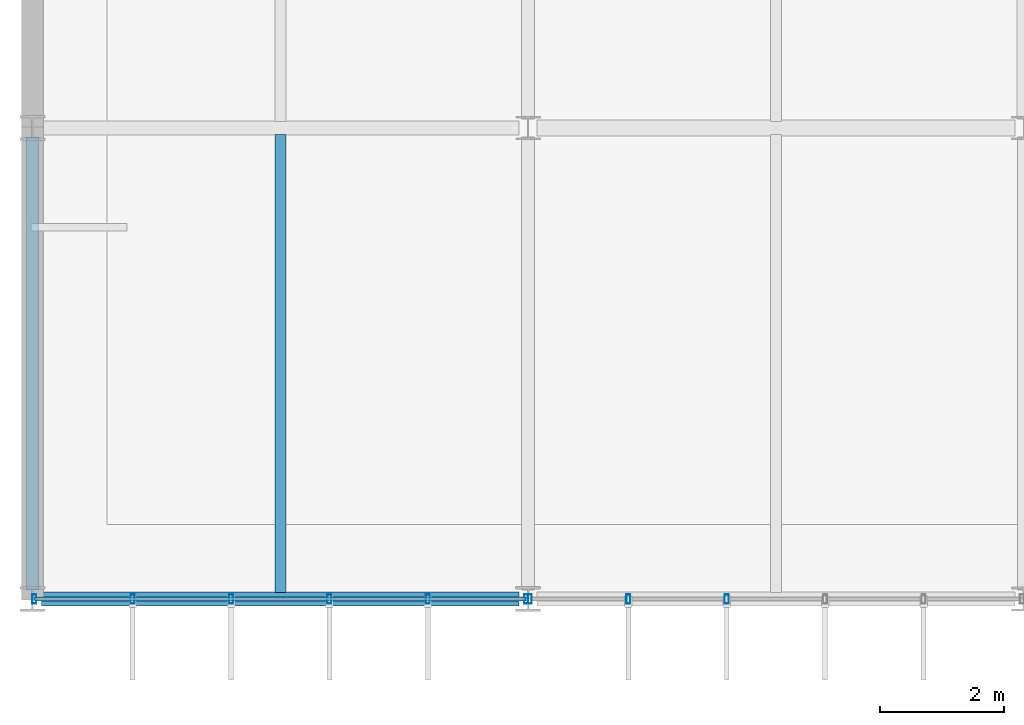
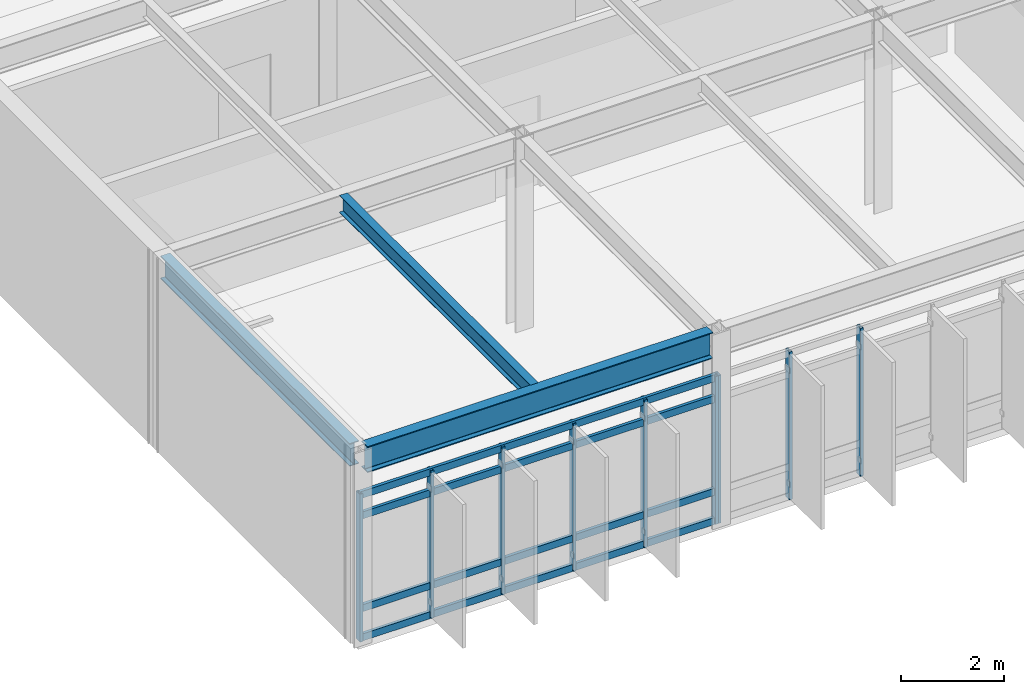
# One storey, part 21 of 104: 13 members, 3 beams, 2 elements without a shape of their own.
"""IFC4 building model written with IfcOpenShell, lengths in metres."""

from ifc_helpers import new_model, si_unit, direction, frame, origin, origin_2d, place, context, subcontext, project, spatial, hollow_rectangle, i_section, extrude, material, material_profile, profile_set, type_object, element, aggregate, save


model = new_model("IFC4")

# Units and contexts
model_context = context("Model", 3, precision=1e-05, world=origin(), true_north=direction((0.0, 1.0)))
body_context = subcontext(model_context, "Body", "Model", "MODEL_VIEW")
ifc_project = project(units=[si_unit("LENGTHUNIT", "METRE"), si_unit("AREAUNIT", "SQUARE_METRE"), si_unit("VOLUMEUNIT", "CUBIC_METRE"), si_unit("PLANEANGLEUNIT", "RADIAN"), si_unit("MASSUNIT", "GRAM", prefix="KILO")], contexts=[model_context])

# Site, building, storey
site_placement = place(None, origin())
site = spatial("IfcSite", under=ifc_project, at=site_placement, CompositionType="ELEMENT")
building_placement = place(site_placement, origin())
building = spatial("IfcBuilding", under=site, at=building_placement, Name="Zulena Civic Courthouse", CompositionType="ELEMENT")
storey_placement = place(building_placement, frame((0.0, 0.0, 10.800048828125)))
storey = spatial("IfcBuildingStorey", under=building, at=storey_placement, Name="L02", CompositionType="ELEMENT", Elevation=10.800048828125)

# Curtain wall, members
ifc_material_1 = material(Name="Double-silver low-E laminated solar-control glass", Category="glass")
curtain_wall_type = type_object("IfcCurtainWallType", Name="CW_7940x3490", PredefinedType="USERDEFINED", material=ifc_material_1)
curtain_wall_1_placement = place(storey_placement, origin())
curtain_wall_1 = element("IfcCurtainWall", 1, at=curtain_wall_1_placement, inside=storey, type_object=curtain_wall_type, Name="cw:V2:L02:5:4", ObjectType="UNITISED CURTAIN WALL", PredefinedType="USERDEFINED")
ifc_material_2 = material(Name="Bronze anodised thermally broken aluminium AA6063-T6", Category="aluminium")
ifc_material_profile_1 = material_profile(ifc_material_2, hollow_rectangle(XDim=0.06494140625, YDim=0.14990234375, WallThickness=0.00390625, at=origin_2d()), Name="CWM150X65X4")
ifc_profile_set_1 = profile_set([ifc_material_profile_1], Name="Bronze anodised thermally broken aluminium AA6063-T6")
member_type_1 = type_object("IfcMemberType", Name="CWMullion_150x65", PredefinedType="MULLION", material=ifc_profile_set_1)
member_1_placement = place(storey_placement, frame((15.2060546875, 0.0, 0.0), z_axis=(0.0, 0.0, 1.0), x_axis=(1.0, 0.0, 0.0)))
member_1 = element("IfcMember", 2, at=member_1_placement, type_object=member_type_1, Name="cw:V2:L02:5:4:mull:3", PredefinedType="MULLION", context=body_context, shape_type="SweptSolid", body=[
    extrude(hollow_rectangle(XDim=0.06494140625, YDim=0.14990234375, WallThickness=0.00390625, at=origin_2d()), origin(), (0.0, 0.0, 1.0), 3.489990234375),
])
member_2_placement = place(storey_placement, frame((13.617919921875, 0.0, 0.0), z_axis=(0.0, 0.0, 1.0), x_axis=(1.0, 0.0, 0.0)))
member_2 = element("IfcMember", 3, at=member_2_placement, type_object=member_type_1, Name="cw:V2:L02:5:4:mull:4", PredefinedType="MULLION", context=body_context, shape_type="SweptSolid", body=[
    extrude(hollow_rectangle(XDim=0.06494140625, YDim=0.14990234375, WallThickness=0.00390625, at=origin_2d()), origin(), (0.0, 0.0, 1.0), 3.489990234375),
])
member_3_placement = place(storey_placement, frame((12.030029296875, 0.0, 0.0), z_axis=(0.0, 0.0, 1.0), x_axis=(1.0, 0.0, 0.0)))
member_3 = element("IfcMember", 4, at=member_3_placement, type_object=member_type_1, Name="cw:V2:L02:5:4:mull:5", PredefinedType="MULLION", context=body_context, shape_type="SweptSolid", body=[
    extrude(hollow_rectangle(XDim=0.06494140625, YDim=0.14990234375, WallThickness=0.00390625, at=origin_2d()), origin(), (0.0, 0.0, 1.0), 3.489990234375),
])
aggregate(curtain_wall_1, [member_1, member_2, member_3])

curtain_wall_2_placement = place(storey_placement, origin())
curtain_wall_2 = element("IfcCurtainWall", 5, at=curtain_wall_2_placement, inside=storey, type_object=curtain_wall_type, Name="cw:V2:L02:5:5", ObjectType="UNITISED CURTAIN WALL", PredefinedType="USERDEFINED")
member_4_placement = place(storey_placement, frame((11.969970703125, 0.0, 0.0), z_axis=(0.0, 0.0, 1.0), x_axis=(1.0, 0.0, 0.0)))
member_4 = element("IfcMember", 6, at=member_4_placement, type_object=member_type_1, Name="cw:V2:L02:5:5:mull:0", PredefinedType="MULLION", context=body_context, shape_type="SweptSolid", body=[
    extrude(hollow_rectangle(XDim=0.06494140625, YDim=0.14990234375, WallThickness=0.00390625, at=origin_2d()), origin(), (0.0, 0.0, 1.0), 3.489990234375),
])
member_5_placement = place(storey_placement, frame((10.382080078125, 0.0, 0.0), z_axis=(0.0, 0.0, 1.0), x_axis=(1.0, 0.0, 0.0)))
member_5 = element("IfcMember", 7, at=member_5_placement, type_object=member_type_1, Name="cw:V2:L02:5:5:mull:1", PredefinedType="MULLION", context=body_context, shape_type="SweptSolid", body=[
    extrude(hollow_rectangle(XDim=0.06494140625, YDim=0.14990234375, WallThickness=0.00390625, at=origin_2d()), origin(), (0.0, 0.0, 1.0), 3.489990234375),
])
member_6_placement = place(storey_placement, frame((8.7939453125, 0.0, 0.0), z_axis=(0.0, 0.0, 1.0), x_axis=(1.0, 0.0, 0.0)))
member_6 = element("IfcMember", 8, at=member_6_placement, type_object=member_type_1, Name="cw:V2:L02:5:5:mull:2", PredefinedType="MULLION", context=body_context, shape_type="SweptSolid", body=[
    extrude(hollow_rectangle(XDim=0.06494140625, YDim=0.14990234375, WallThickness=0.00390625, at=origin_2d()), origin(), (0.0, 0.0, 1.0), 3.489990234375),
])
member_7_placement = place(storey_placement, frame((7.2060546875, 0.0, 0.0), z_axis=(0.0, 0.0, 1.0), x_axis=(1.0, 0.0, 0.0)))
member_7 = element("IfcMember", 9, at=member_7_placement, type_object=member_type_1, Name="cw:V2:L02:5:5:mull:3", PredefinedType="MULLION", context=body_context, shape_type="SweptSolid", body=[
    extrude(hollow_rectangle(XDim=0.06494140625, YDim=0.14990234375, WallThickness=0.00390625, at=origin_2d()), origin(), (0.0, 0.0, 1.0), 3.489990234375),
])
member_8_placement = place(storey_placement, frame((5.617919921875, 0.0, 0.0), z_axis=(0.0, 0.0, 1.0), x_axis=(1.0, 0.0, 0.0)))
member_8 = element("IfcMember", 10, at=member_8_placement, type_object=member_type_1, Name="cw:V2:L02:5:5:mull:4", PredefinedType="MULLION", context=body_context, shape_type="SweptSolid", body=[
    extrude(hollow_rectangle(XDim=0.06494140625, YDim=0.14990234375, WallThickness=0.00390625, at=origin_2d()), origin(), (0.0, 0.0, 1.0), 3.489990234375),
])
member_9_placement = place(storey_placement, frame((4.030029296875, 0.0, 0.0), z_axis=(0.0, 0.0, 1.0), x_axis=(1.0, 0.0, 0.0)))
member_9 = element("IfcMember", 11, at=member_9_placement, type_object=member_type_1, Name="cw:V2:L02:5:5:mull:5", PredefinedType="MULLION", context=body_context, shape_type="SweptSolid", body=[
    extrude(hollow_rectangle(XDim=0.06494140625, YDim=0.14990234375, WallThickness=0.00390625, at=origin_2d()), origin(), (0.0, 0.0, 1.0), 3.489990234375),
])
ifc_material_profile_2 = material_profile(ifc_material_2, hollow_rectangle(XDim=0.070068359375, YDim=0.1650390625, WallThickness=0.00390625, at=origin_2d()), Name="CWT165X70X4")
ifc_profile_set_2 = profile_set([ifc_material_profile_2], Name="Bronze anodised thermally broken aluminium AA6063-T6")
member_type_2 = type_object("IfcMemberType", Name="CWTransom_165x70", PredefinedType="USERDEFINED", material=ifc_profile_set_2)
member_10_placement = place(storey_placement, frame((11.969970703125, 0.0, 0.06005859375), z_axis=(-1.0, 0.0, 0.0), x_axis=(0.0, -1.0, 0.0)))
member_10 = element("IfcMember", 12, at=member_10_placement, type_object=member_type_2, Name="cw:V2:L02:5:5:tran:0", ObjectType="TRANSOM", PredefinedType="USERDEFINED", context=body_context, shape_type="SweptSolid", body=[
    extrude(hollow_rectangle(XDim=0.070068359375, YDim=0.1650390625, WallThickness=0.00390625, at=origin_2d()), origin(), (0.0, 0.0, 1.0), 7.93994140625),
])
member_11_placement = place(storey_placement, frame((11.969970703125, 0.0, 0.75), z_axis=(-1.0, 0.0, 0.0), x_axis=(0.0, -1.0, 0.0)))
member_11 = element("IfcMember", 13, at=member_11_placement, type_object=member_type_2, Name="cw:V2:L02:5:5:tran:1", ObjectType="TRANSOM", PredefinedType="USERDEFINED", context=body_context, shape_type="SweptSolid", body=[
    extrude(hollow_rectangle(XDim=0.070068359375, YDim=0.1650390625, WallThickness=0.00390625, at=origin_2d()), origin(), (0.0, 0.0, 1.0), 7.93994140625),
])
member_12_placement = place(storey_placement, frame((11.969970703125, 0.0, 2.93994140625), z_axis=(-1.0, 0.0, 0.0), x_axis=(0.0, -1.0, 0.0)))
member_12 = element("IfcMember", 14, at=member_12_placement, type_object=member_type_2, Name="cw:V2:L02:5:5:tran:2", ObjectType="TRANSOM", PredefinedType="USERDEFINED", context=body_context, shape_type="SweptSolid", body=[
    extrude(hollow_rectangle(XDim=0.070068359375, YDim=0.1650390625, WallThickness=0.00390625, at=origin_2d()), origin(), (0.0, 0.0, 1.0), 7.93994140625),
])
member_13_placement = place(storey_placement, frame((11.969970703125, 0.0, 3.429931640625), z_axis=(-1.0, 0.0, 0.0), x_axis=(0.0, -1.0, 0.0)))
member_13 = element("IfcMember", 15, at=member_13_placement, type_object=member_type_2, Name="cw:V2:L02:5:5:tran:3", ObjectType="TRANSOM", PredefinedType="USERDEFINED", context=body_context, shape_type="SweptSolid", body=[
    extrude(hollow_rectangle(XDim=0.070068359375, YDim=0.1650390625, WallThickness=0.00390625, at=origin_2d()), origin(), (0.0, 0.0, 1.0), 7.93994140625),
])
aggregate(curtain_wall_2, [member_4, member_5, member_6, member_7, member_8, member_9, member_10, member_11, member_12, member_13])

# Beams
ifc_material_3 = material(Name="Steel ASTM A992 Grade 50", Category="steel")
ifc_material_profile_3 = material_profile(ifc_material_3, i_section(OverallWidth=0.177978515625, OverallDepth=0.406005859375, WebThickness=0.0078125, FlangeThickness=0.0126953125, FilletRadius=0.01025390625, at=origin_2d()), Name="W16X40")
ifc_profile_set_3 = profile_set([ifc_material_profile_3], Name="Steel ASTM A992 Grade 50")
beam_type_1 = type_object("IfcBeamType", Name="Joist_W16X40", PredefinedType="JOIST", material=ifc_profile_set_3)
beam_1_placement = place(storey_placement, frame((8.0, 0.10498046875, 4.386962890625), z_axis=(0.0, 1.0, 0.0), x_axis=(-1.0, 0.0, 0.0)))
element("IfcBeam", 16, at=beam_1_placement, inside=storey, type_object=beam_type_1, Name="joist:V2:L02:8.00:0.0_7.6", PredefinedType="JOIST", context=body_context, shape_type="SweptSolid", body=[
    extrude(i_section(OverallWidth=0.177978515625, OverallDepth=0.406005859375, WebThickness=0.0078125, FlangeThickness=0.0126953125, FilletRadius=0.01025390625, at=origin_2d()), origin(), (0.0, 0.0, 1.0), 7.39013671875),
])
ifc_material_profile_4 = material_profile(ifc_material_3, i_section(OverallWidth=0.2099609375, OverallDepth=0.537109375, WebThickness=0.010986328125, FlangeThickness=0.017333984375, FilletRadius=0.0126953125, at=origin_2d()), Name="W21X68")
ifc_profile_set_4 = profile_set([ifc_material_profile_4], Name="Steel ASTM A992 Grade 50")
beam_type_2 = type_object("IfcBeamType", Name="Spandrel_W21X68", PredefinedType="SPANDREL", material=ifc_profile_set_4)
beam_2_placement = place(storey_placement, frame((4.0, 0.14501953125, 4.321533203125), z_axis=(0.0, 1.0, 0.0), x_axis=(-1.0, 0.0, 0.0)))
element("IfcBeam", 17, at=beam_2_placement, inside=storey, type_object=beam_type_2, Name="beam:Y:V2:L02:4.0:0.0_7.6", PredefinedType="SPANDREL", context=body_context, shape_type="SweptSolid", body=[
    extrude(i_section(OverallWidth=0.2099609375, OverallDepth=0.537109375, WebThickness=0.010986328125, FlangeThickness=0.017333984375, FilletRadius=0.0126953125, at=origin_2d()), origin(), (0.0, 0.0, 1.0), 7.31005859375),
])
ifc_material_profile_5 = material_profile(ifc_material_3, i_section(OverallWidth=0.22998046875, OverallDepth=0.616943359375, WebThickness=0.01318359375, FlangeThickness=0.022216796875, FilletRadius=0.0126953125, at=origin_2d()), Name="W24X94")
ifc_profile_set_5 = profile_set([ifc_material_profile_5], Name="Steel ASTM A992 Grade 50")
beam_type_3 = type_object("IfcBeamType", Name="Spandrel_W24X94", PredefinedType="SPANDREL", material=ifc_profile_set_5)
beam_3_placement = place(storey_placement, frame((4.14501953125, 0.0, 4.281494140625), z_axis=(1.0, 0.0, 0.0), x_axis=(0.0, 1.0, 0.0)))
element("IfcBeam", 18, at=beam_3_placement, inside=storey, type_object=beam_type_3, Name="beam:X:V2:L02:0.0:4.0_12.0", PredefinedType="SPANDREL", context=body_context, shape_type="SweptSolid", body=[
    extrude(i_section(OverallWidth=0.22998046875, OverallDepth=0.616943359375, WebThickness=0.01318359375, FlangeThickness=0.022216796875, FilletRadius=0.0126953125, at=origin_2d()), origin(), (0.0, 0.0, 1.0), 7.7099609375),
])

save(model, "model.ifc")
